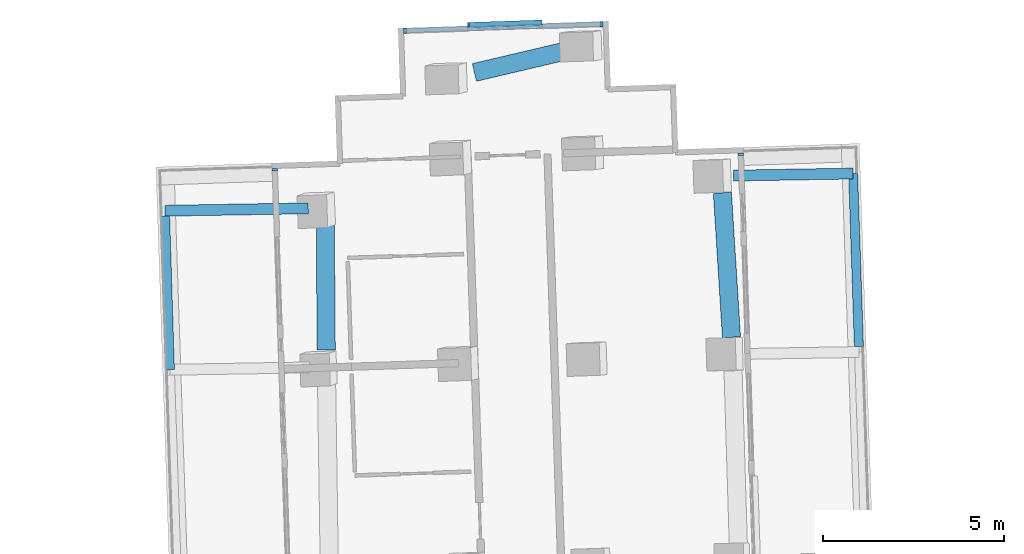
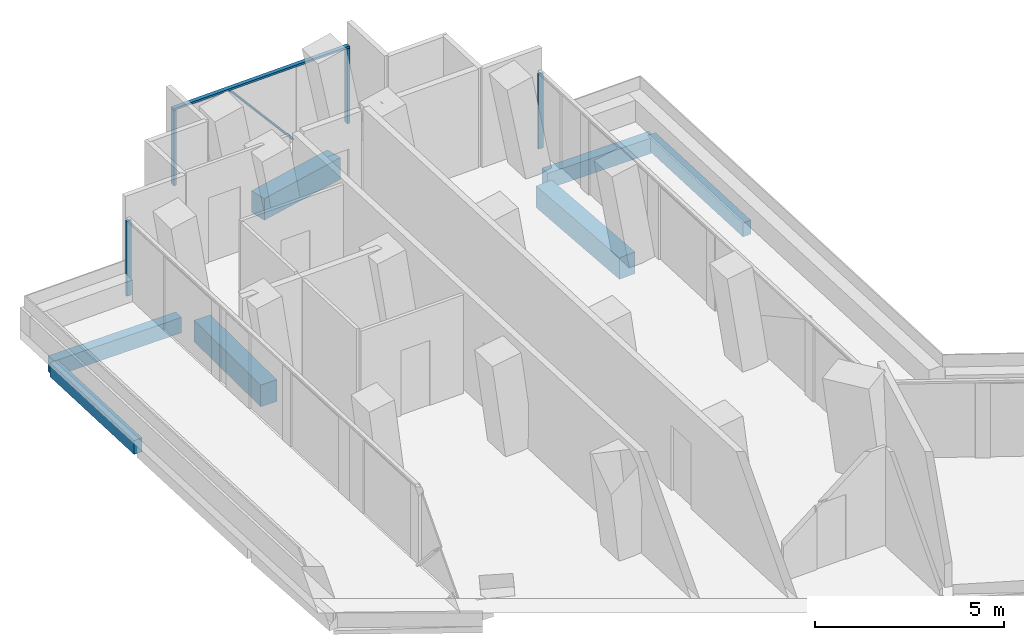
# One storey, part 13 of 27: 7 beams, 6 members, 3 elements without a shape of their own.
"""IFC4 building model written with IfcOpenShell, lengths in metres."""

from ifc_helpers import new_model, si_unit, direction, frame, origin, origin_2d, place, context, subcontext, project, spatial, rectangle, extrude, material, layer, layer_set, material_profile, profile_set, type_object, element, aggregate, save


model = new_model("IFC4")

# Units and contexts
model_context = context("Model", 3, precision=1e-05, world=origin(), true_north=direction((0.0, 1.0)))
body_context = subcontext(model_context, "Body", "Model", "MODEL_VIEW")
ifc_project = project(units=[si_unit("LENGTHUNIT", "METRE"), si_unit("AREAUNIT", "SQUARE_METRE"), si_unit("VOLUMEUNIT", "CUBIC_METRE"), si_unit("PLANEANGLEUNIT", "RADIAN"), si_unit("MASSUNIT", "GRAM", prefix="KILO")], contexts=[model_context])

# Site, building, storey
site_placement = place(None, origin())
site = spatial("IfcSite", under=ifc_project, at=site_placement, CompositionType="ELEMENT")
building_placement = place(site_placement, origin())
building = spatial("IfcBuilding", under=site, at=building_placement, Name="Verdalira Terraces Hotel", CompositionType="ELEMENT")
storey_placement = place(building_placement, frame((0.0, 0.0, 42.5)))
storey = spatial("IfcBuildingStorey", under=building, at=storey_placement, Name="L08", CompositionType="ELEMENT", Elevation=42.5)

# Beams
ifc_material_1 = material(Name="Concrete C40", Category="concrete")
ifc_material_profile_1 = material_profile(ifc_material_1, rectangle(XDim=0.300049, YDim=0.5, at=origin_2d()), Name="RC 300X500")
ifc_profile_set_1 = profile_set([ifc_material_profile_1], Name="Concrete C40")
beam_type_1 = type_object("IfcBeamType", Name="Balcony cantilever beam RC 300X500 C40", PredefinedType="BEAM", material=ifc_profile_set_1)
beam_1_placement = place(storey_placement, frame((-6.878174, 39.813721, -0.560059), z_axis=(-0.999859712, -0.016749829, 0.0), x_axis=(0.016749829, -0.999859712, 0.0)))
element("IfcBeam", 1, at=beam_1_placement, inside=storey, type_object=beam_type_1, Name="Balcony cantilever beam R10-1", PredefinedType="BEAM", context=body_context, shape_type="SweptSolid", body=[
    extrude(rectangle(XDim=0.300049, YDim=0.5, at=origin_2d()), origin(), (0.0, 0.0, 1.0), 3.949951),
])
beam_2_placement = place(storey_placement, frame((4.838623, 40.717041, -0.560059), z_axis=(0.999859016, 0.0167913, 0.0), x_axis=(-0.0167913, 0.999859016, 0.0)))
element("IfcBeam", 2, at=beam_2_placement, inside=storey, type_object=beam_type_1, Name="Balcony cantilever beam R41-6", PredefinedType="BEAM", context=body_context, shape_type="SweptSolid", body=[
    extrude(rectangle(XDim=0.300049, YDim=0.5, at=origin_2d()), origin(), (0.0, 0.0, 1.0), 3.300537),
])
ifc_material_2 = material(Name="Concrete C40", Category="concrete")
ifc_material_profile_2 = material_profile(ifc_material_2, rectangle(XDim=0.25, YDim=0.449951, at=origin_2d()), Name="RC 250X450")
ifc_profile_set_2 = profile_set([ifc_material_profile_2], Name="Concrete C40")
beam_type_2 = type_object("IfcBeamType", Name="Balcony edge beam RC 250X450 C40", PredefinedType="BEAM", material=ifc_profile_set_2)
beam_3_placement = place(storey_placement, frame((-10.822998, 39.597412, -0.534912), z_axis=(0.031191553, -0.999513425, 0.0), x_axis=(0.999513425, 0.031191553, 0.0)))
element("IfcBeam", 3, at=beam_3_placement, inside=storey, type_object=beam_type_2, Name="Balcony edge beam R10-1", PredefinedType="BEAM", context=body_context, shape_type="SweptSolid", body=[
    extrude(rectangle(XDim=0.25, YDim=0.449951, at=origin_2d()), origin(), (0.0, 0.0, 1.0), 4.234375),
])
beam_4_placement = place(storey_placement, frame((8.29834, 36.004395, -0.534912), z_axis=(-0.033468183, 0.999439783, 0.0), x_axis=(-0.999439783, -0.033468183, 0.0)))
element("IfcBeam", 4, at=beam_4_placement, inside=storey, type_object=beam_type_2, Name="Balcony edge beam R41-5", PredefinedType="BEAM", context=body_context, shape_type="SweptSolid", body=[
    extrude(rectangle(XDim=0.25, YDim=0.449951, at=origin_2d()), origin(), (0.0, 0.0, 1.0), 4.770752),
])

# Curtain wall, member
ifc_material_3 = material(Name="Clear glass", Category="glass")
ifc_layer_1 = layer(ifc_material_3, 0.14990234375)
ifc_layer_set_1 = layer_set([ifc_layer_1], Name="CW2 curtain wall")
curtain_wall_type_1 = type_object("IfcCurtainWallType", Name="CW2 curtain wall", PredefinedType="NOTDEFINED", material=ifc_layer_set_1)
curtain_wall_1_placement = place(storey_placement, origin())
curtain_wall_1 = element("IfcCurtainWall", 5, at=curtain_wall_1_placement, inside=storey, type_object=curtain_wall_type_1, Name="CW2 curtain wall L08 edge 0", PredefinedType="NOTDEFINED")
ifc_material_4 = material(Name="Terracotta frame", Category="masonry")
ifc_material_profile_3 = material_profile(ifc_material_4, rectangle(XDim=0.070068, YDim=0.149902, at=origin_2d()), Name="MU 70x150")
ifc_profile_set_3 = profile_set([ifc_material_profile_3], Name="Terracotta frame")
member_type_1 = type_object("IfcMemberType", Name="CW2 mullion 70x150", PredefinedType="MULLION", material=ifc_profile_set_3)
member_1_placement = place(storey_placement, frame((5.043945, 41.30835, 0.0), z_axis=(0.0, 0.0, 1.0), x_axis=(-0.03350405, 0.999438582, 0.0)))
member_1 = element("IfcMember", 6, at=member_1_placement, type_object=member_type_1, Name="CW2 mullion", PredefinedType="MULLION", context=body_context, shape_type="SweptSolid", body=[
    extrude(rectangle(XDim=0.070068, YDim=0.149902, at=origin_2d()), origin(), (0.0, 0.0, 1.0), 2.425049),
])
aggregate(curtain_wall_1, [member_1])

curtain_wall_2_placement = place(storey_placement, origin())
curtain_wall_2 = element("IfcCurtainWall", 7, at=curtain_wall_2_placement, inside=storey, type_object=curtain_wall_type_1, Name="CW2 curtain wall L08 edge 10", PredefinedType="NOTDEFINED")
member_2_placement = place(storey_placement, frame((-7.799072, 40.87793, 0.0), z_axis=(0.0, 0.0, 1.0), x_axis=(0.03350405, -0.999438582, 0.0)))
member_2 = element("IfcMember", 8, at=member_2_placement, type_object=member_type_1, Name="CW2 mullion", PredefinedType="MULLION", context=body_context, shape_type="SweptSolid", body=[
    extrude(rectangle(XDim=0.070068, YDim=0.149902, at=origin_2d()), origin(), (0.0, 0.0, 1.0), 2.425049),
])
aggregate(curtain_wall_2, [member_2])

# Curtain wall, members
ifc_material_5 = material(Name="Clear glass", Category="glass")
ifc_layer_2 = layer(ifc_material_5, 0.14990234375)
ifc_layer_set_2 = layer_set([ifc_layer_2], Name="CW3 curtain wall")
curtain_wall_type_2 = type_object("IfcCurtainWallType", Name="CW3 curtain wall", PredefinedType="NOTDEFINED", material=ifc_layer_set_2)
curtain_wall_3_placement = place(storey_placement, origin())
curtain_wall_3 = element("IfcCurtainWall", 9, at=curtain_wall_3_placement, inside=storey, type_object=curtain_wall_type_2, Name="CW3 curtain wall L08 edge 5", PredefinedType="NOTDEFINED")
ifc_material_6 = material(Name="Terracotta frame", Category="masonry")
ifc_material_profile_4 = material_profile(ifc_material_6, rectangle(XDim=0.080078, YDim=0.149902, at=origin_2d()), Name="MU 80x150")
ifc_profile_set_4 = profile_set([ifc_material_profile_4], Name="Terracotta frame")
member_type_2 = type_object("IfcMemberType", Name="CW3 mullion 80x150", PredefinedType="MULLION", material=ifc_profile_set_4)
member_3_placement = place(storey_placement, frame((1.206543, 44.891846, 0.0), z_axis=(0.0, 0.0, 1.0), x_axis=(-0.999438582, -0.03350405, 0.0)))
member_3 = element("IfcMember", 10, at=member_3_placement, type_object=member_type_2, Name="CW3 mullion", PredefinedType="MULLION", context=body_context, shape_type="SweptSolid", body=[
    extrude(rectangle(XDim=0.080078, YDim=0.149902, at=origin_2d()), origin(), (0.0, 0.0, 1.0), 2.425049),
])
member_4_placement = place(storey_placement, frame((-4.210449, 44.710205, 0.0), z_axis=(0.0, 0.0, 1.0), x_axis=(-0.999438582, -0.03350405, 0.0)))
member_4 = element("IfcMember", 11, at=member_4_placement, type_object=member_type_2, Name="CW3 mullion", PredefinedType="MULLION", context=body_context, shape_type="SweptSolid", body=[
    extrude(rectangle(XDim=0.080078, YDim=0.149902, at=origin_2d()), origin(), (0.0, 0.0, 1.0), 2.425049),
])
ifc_material_7 = material(Name="Terracotta frame", Category="masonry")
ifc_material_profile_5 = material_profile(ifc_material_7, rectangle(XDim=0.120117, YDim=0.064941, at=origin_2d()), Name="TR 65x120")
ifc_profile_set_5 = profile_set([ifc_material_profile_5], Name="Terracotta frame")
member_type_3 = type_object("IfcMemberType", Name="CW3 transom 65x120", PredefinedType="USERDEFINED", material=ifc_profile_set_5)
member_5_placement = place(storey_placement, frame((1.246582, 44.893311, 2.45752), z_axis=(-0.999438236, -0.033514362, 0.0), x_axis=(0.033514362, -0.999438236, 0.0)))
member_5 = element("IfcMember", 12, at=member_5_placement, type_object=member_type_3, Name="CW3 transom", ObjectType="TRANSOM", PredefinedType="USERDEFINED", context=body_context, shape_type="SweptSolid", body=[
    extrude(rectangle(XDim=0.120117, YDim=0.064941, at=origin_2d()), origin(), (0.0, 0.0, 1.0), 5.5),
])
ifc_material_8 = material(Name="Terracotta frame", Category="masonry")
ifc_material_profile_6 = material_profile(ifc_material_8, rectangle(XDim=0.149902, YDim=0.060059, at=origin_2d()), Name="GB 60x150")
ifc_profile_set_6 = profile_set([ifc_material_profile_6], Name="Terracotta frame")
member_type_4 = type_object("IfcMemberType", Name="Diagonal glazing bar 60x150", PredefinedType="USERDEFINED", material=ifc_profile_set_6)
member_6_placement = place(storey_placement, frame((-0.453857, 44.929199, 0.02832), z_axis=(-0.648094272, -0.021736544, 0.761249852), x_axis=(0.033520322, -0.999438036, 0.0)))
member_6 = element("IfcMember", 13, at=member_6_placement, type_object=member_type_4, Name="Diagonal glazing bar", ObjectType="GLAZING BAR", PredefinedType="USERDEFINED", context=body_context, shape_type="SweptSolid", body=[
    extrude(rectangle(XDim=0.149902, YDim=0.060059, at=origin_2d()), origin(), (0.0, 0.0, 1.0), 3.111328),
])
aggregate(curtain_wall_3, [member_3, member_4, member_5, member_6])

# Beams
ifc_material_9 = material(Name="Concrete C70", Category="concrete")
ifc_material_profile_7 = material_profile(ifc_material_9, rectangle(XDim=0.5, YDim=0.699951, at=origin_2d()), Name="RC 500X700")
ifc_profile_set_7 = profile_set([ifc_material_profile_7], Name="Concrete C70")
beam_type_3 = type_object("IfcBeamType", Name="Spandrel beam RC 500X700 C70", PredefinedType="SPANDREL", material=ifc_profile_set_7)
beam_5_placement = place(storey_placement, frame((4.786621, 36.258545, -0.659912), z_axis=(-0.062743777, 0.998029668, 0.0), x_axis=(-0.998029668, -0.062743777, 0.0)))
element("IfcBeam", 14, at=beam_5_placement, inside=storey, type_object=beam_type_3, Name="Spandrel beam B03", PredefinedType="SPANDREL", context=body_context, shape_type="SweptSolid", body=[
    extrude(rectangle(XDim=0.5, YDim=0.699951, at=origin_2d()), origin(), (0.0, 0.0, 1.0), 3.992188),
])
beam_6_placement = place(storey_placement, frame((0.39502, 44.192139, -0.659912), z_axis=(-0.973476151, -0.228788513, 0.0), x_axis=(0.228788513, -0.973476151, 0.0)))
element("IfcBeam", 15, at=beam_6_placement, inside=storey, type_object=beam_type_3, Name="Spandrel beam B04", PredefinedType="SPANDREL", context=body_context, shape_type="SweptSolid", body=[
    extrude(rectangle(XDim=0.5, YDim=0.699951, at=origin_2d()), origin(), (0.0, 0.0, 1.0), 2.76709),
])
beam_7_placement = place(storey_placement, frame((-6.408203, 39.384521, -0.659912), z_axis=(0.007578198, -0.999971285, 0.0), x_axis=(0.999971285, 0.007578198, 0.0)))
element("IfcBeam", 16, at=beam_7_placement, inside=storey, type_object=beam_type_3, Name="Spandrel beam B05", PredefinedType="SPANDREL", context=body_context, shape_type="SweptSolid", body=[
    extrude(rectangle(XDim=0.5, YDim=0.699951, at=origin_2d()), origin(), (0.0, 0.0, 1.0), 3.479248),
])

save(model, "model.ifc")
